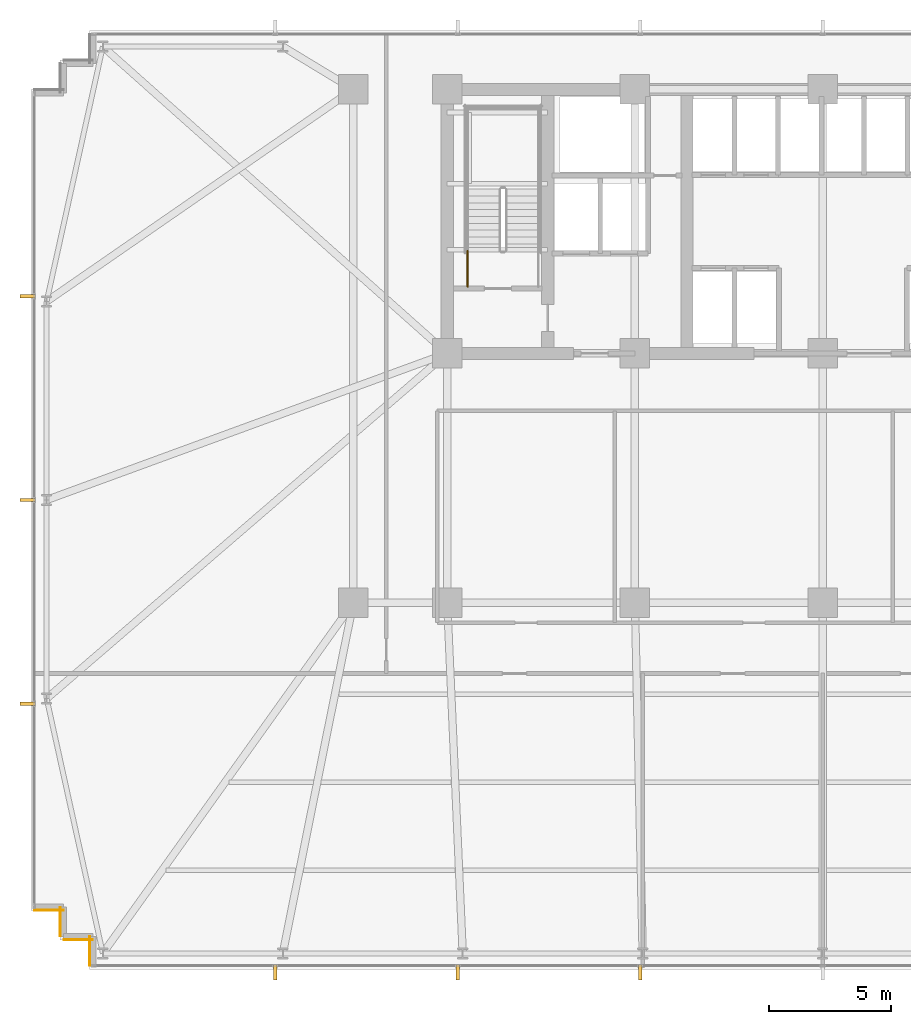
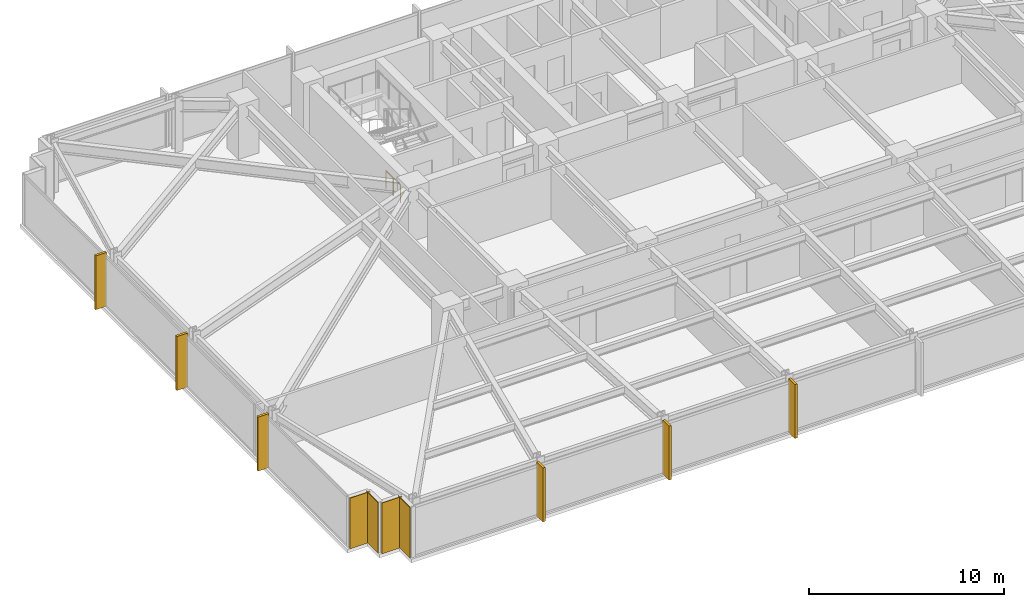
# One storey, part 27 of 32: 6 shading devices, 4 coverings, 1 railing.
"""IFC4 building model written with IfcOpenShell, lengths in metres."""

from ifc_helpers import new_model, si_unit, direction, frame, frame_2d, origin, origin_2d, place, context, subcontext, project, spatial, rectangle, circle, extrude, material, layer, layer_set, type_object, element, save


model = new_model("IFC4")

# Units and contexts
model_context = context("Model", 3, precision=1e-05, world=origin(), true_north=direction((0.0, 1.0)))
body_context = subcontext(model_context, "Body", "Model", "MODEL_VIEW")
ifc_project = project(units=[si_unit("LENGTHUNIT", "METRE"), si_unit("AREAUNIT", "SQUARE_METRE"), si_unit("VOLUMEUNIT", "CUBIC_METRE"), si_unit("PLANEANGLEUNIT", "RADIAN"), si_unit("MASSUNIT", "GRAM", prefix="KILO")], contexts=[model_context])

# Site, building, storey
site_placement = place(None, origin())
site = spatial("IfcSite", under=ifc_project, at=site_placement, CompositionType="ELEMENT")
building_placement = place(site_placement, origin())
building = spatial("IfcBuilding", under=site, at=building_placement, Name="Yelkora Congress Tower", CompositionType="ELEMENT")
storey_placement = place(building_placement, frame((0.0, 0.0, 50.800048828125)))
storey = spatial("IfcBuildingStorey", under=building, at=storey_placement, Name="L12", CompositionType="ELEMENT", Elevation=50.800048828125)

# Coverings
ifc_material_1 = material(Name="Anatolian bush-hammered limestone", Category="masonry")
ifc_layer_1 = layer(ifc_material_1, 0.0400390625)
ifc_layer_set_1 = layer_set([ifc_layer_1], Name="Anatolian bush-hammered limestone")
covering_type = type_object("IfcCoveringType", Name="COV-CLAD-SPANDREL-40", PredefinedType="CLADDING", material=ifc_layer_set_1)
for number, where, z_axis, x_axis, name in (
    (1, (8.405029296875, 10.340087890625, 0.0), (0.0, 0.0, 1.0), (0.0, 1.0, 0.0), "L12 Anatolian Limestone Cladding EW-L12-SR01"),
    (2, (8.5400390625, 11.405029296875, 0.0), (0.0, 0.0, 1.0), (-1.0, 0.0, 0.0), "L12 Anatolian Limestone Cladding EW-L12-SR02"),
    (3, (7.205078125, 11.5400390625, 0.0), (0.0, 0.0, 1.0), (0.0, 1.0, 0.0), "L12 Anatolian Limestone Cladding EW-L12-SR03"),
):
    element("IfcCovering", number, at=place(storey_placement, frame(where, z_axis=z_axis, x_axis=x_axis)), inside=storey, type_object=covering_type, Name=name, PredefinedType="CLADDING", context=body_context, shape_type="SweptSolid", body=[
        extrude(rectangle(XDim=1.199951171875, YDim=0.0400390625, at=frame_2d((0.60009765625, 0.0))), origin(), (0.0, 0.0, 1.0), 3.179931640625),
    ])
covering_placement = place(storey_placement, frame((7.340087890625, 12.60498046875, 0.0), z_axis=(0.0, 0.0, 1.0), x_axis=(-1.0, 0.0, 0.0)))
element("IfcCovering", 4, at=covering_placement, inside=storey, type_object=covering_type, Name="L12 Anatolian Limestone Cladding EW-L12-SR04", PredefinedType="CLADDING", context=body_context, shape_type="SweptSolid", body=[
    extrude(rectangle(XDim=1.2001953125, YDim=0.0400390625, at=frame_2d((0.60009765625, 0.0))), origin(), (0.0, 0.0, 1.0), 3.179931640625),
])

# Railing
ifc_material_2 = material(Name="Painted galvanised steel stair well guard with vertical infill", Category="steel")
ifc_layer_2 = layer(ifc_material_2, 0.06005859375)
ifc_layer_set_2 = layer_set([ifc_layer_2], Name="Painted galvanised steel stair well guard with vertical infill")
railing_type = type_object("IfcRailingType", Name="RAIL-STAIR-GUARD-1120", PredefinedType="GUARDRAIL", material=ifc_layer_set_2)
railing_placement = place(storey_placement, frame((23.8701171875, 38.1201171875, 0.0)))
element("IfcRailing", 5, at=railing_placement, inside=storey, type_object=railing_type, Name="ST-01 L12 Stair Well Guardrail 9", PredefinedType="GUARDRAIL", context=body_context, shape_type="SweptSolid", body=[
    extrude(circle(Radius=0.02392578125, at=origin_2d()), frame((0.0, 0.0, 1.09619140625), z_axis=(0.0, 1.0, 0.0), x_axis=(-1.0, 0.0, 0.0)), (0.0, 0.0, 1.0), 1.47998046875),
    extrude(circle(Radius=0.02099609375, at=origin_2d()), origin(), (0.0, 0.0, 1.0), 1.072021484375),
    extrude(circle(Radius=0.02099609375, at=origin_2d()), frame((0.0, 0.739990234375, 0.0)), (0.0, 0.0, 1.0), 1.072021484375),
    extrude(circle(Radius=0.02099609375, at=origin_2d()), frame((0.0, 1.47998046875, 0.0)), (0.0, 0.0, 1.0), 1.072021484375),
])

# Shading devices
ifc_material_3 = material(Name="Champagne anodised aluminium", Category="aluminium")
ifc_layer_3 = layer(ifc_material_3, 3.39990234375)
ifc_layer_set_3 = layer_set([ifc_layer_3], Name="Champagne anodised aluminium")
shading_device_type = type_object("IfcShadingDeviceType", Name="SHD-FIN-ALU-640", PredefinedType="USERDEFINED", material=ifc_layer_set_3)
for number, where, z_axis, x_axis, name in (
    (6, (5.8798828125, 21.070068359375, -0.030029296875), (0.0, 0.0, 1.0), (0.0, 1.0, 0.0), "L12 Vertical Anodised Solar Fin 5-1"),
    (7, (5.8798828125, 29.39990234375, -0.030029296875), (0.0, 0.0, 1.0), (0.0, 1.0, 0.0), "L12 Vertical Anodised Solar Fin 5-2"),
    (8, (5.8798828125, 37.72998046875, -0.030029296875), (0.0, 0.0, 1.0), (0.0, 1.0, 0.0), "L12 Vertical Anodised Solar Fin 5-3"),
    (9, (30.93505859375, 10.080078125, -0.030029296875), (0.0, 0.0, 1.0), (-1.0, 0.0, 0.0), "L12 Vertical Anodised Solar Fin 20-5"),
    (10, (23.469970703125, 10.080078125, -0.030029296875), (0.0, 0.0, 1.0), (-1.0, 0.0, 0.0), "L12 Vertical Anodised Solar Fin 20-6"),
    (11, (16.0048828125, 10.080078125, -0.030029296875), (0.0, 0.0, 1.0), (-1.0, 0.0, 0.0), "L12 Vertical Anodised Solar Fin 20-7"),
):
    element("IfcShadingDevice", number, at=place(storey_placement, frame(where, z_axis=z_axis, x_axis=x_axis)), inside=storey, type_object=shading_device_type, Name=name, ObjectType="FIN", PredefinedType="USERDEFINED", context=body_context, shape_type="SweptSolid", body=[
        extrude(rectangle(XDim=0.139892578125, YDim=0.639892578125, at=origin_2d()), origin(), (0.0, 0.0, 1.0), 3.3798828125),
    ])

save(model, "model.ifc")
